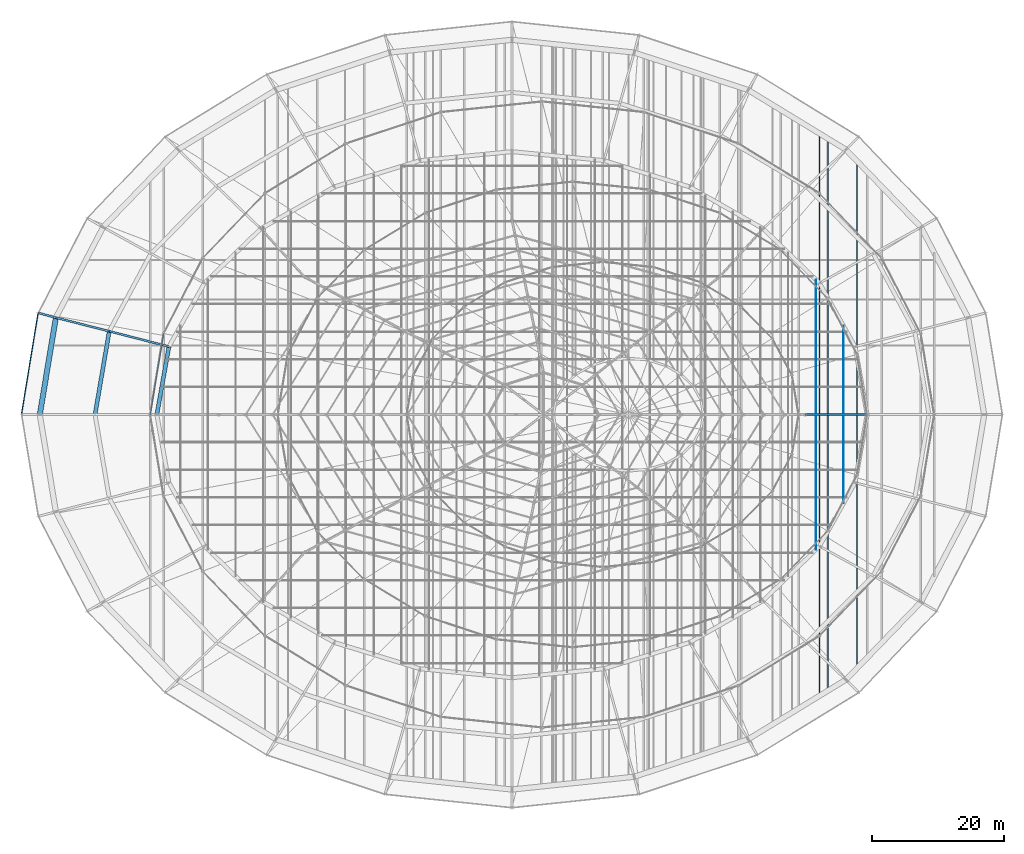
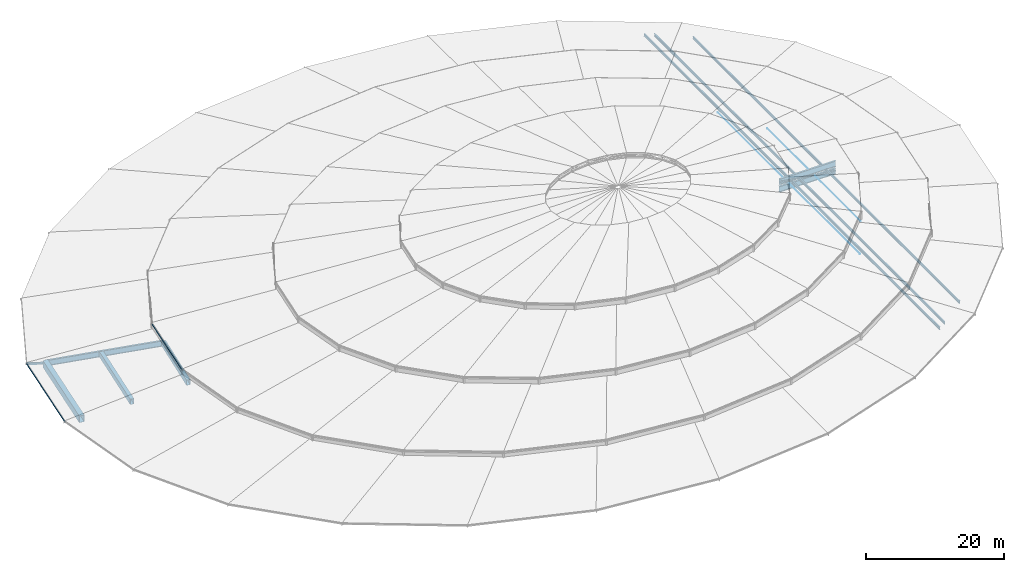
# One storey, part 94 of 184: 9 members, 7 beams.
"""IFC4 building model written with IfcOpenShell, lengths in metres."""

from ifc_helpers import new_model, si_unit, direction, frame, origin, origin_2d, place, context, subcontext, project, spatial, hollow_rectangle, circle, i_section, extrude, material, material_profile, profile_set, type_object, element, save


model = new_model("IFC4")

# Units and contexts
model_context = context("Model", 3, precision=1e-05, world=origin(), true_north=direction((0.0, 1.0)))
body_context = subcontext(model_context, "Body", "Model", "MODEL_VIEW")
ifc_project = project(units=[si_unit("LENGTHUNIT", "METRE"), si_unit("AREAUNIT", "SQUARE_METRE"), si_unit("VOLUMEUNIT", "CUBIC_METRE"), si_unit("PLANEANGLEUNIT", "RADIAN"), si_unit("MASSUNIT", "GRAM", prefix="KILO")], contexts=[model_context])

# Site, building, storey
site_placement = place(None, origin())
site = spatial("IfcSite", under=ifc_project, at=site_placement, CompositionType="ELEMENT")
building_placement = place(site_placement, origin())
building = spatial("IfcBuilding", under=site, at=building_placement, Name="Kalgoora Escarpment Arena", CompositionType="ELEMENT")
storey_placement = place(building_placement, frame((0.0, 0.0, 27.60009765625)))
storey = spatial("IfcBuildingStorey", under=building, at=storey_placement, Name="Roof Level", CompositionType="ELEMENT", Elevation=27.60009765625)

# Beams
ifc_material_1 = material(Name="Structural steel Grade 350 (350 MPa)", Category="steel")
ifc_material_profile_1 = material_profile(ifc_material_1, hollow_rectangle(XDim=0.800048828125, YDim=1.199951171875, WallThickness=0.031982421875, at=origin_2d()))
ifc_profile_set_1 = profile_set([ifc_material_profile_1], Name="Structural steel Grade 350 (350 MPa)")
beam_type_1 = type_object("IfcBeamType", Name="BM-RING-BOX1200", PredefinedType="USERDEFINED", material=ifc_profile_set_1)
beam_1_placement = place(storey_placement, frame((23.04638671875, 78.752685546875, -1.4501953125), z_axis=(-0.163586163215, -0.98652905036, 0.0), x_axis=(0.98652905036, -0.163586163215, 0.0)))
element("IfcBeam", 1, at=beam_1_placement, inside=storey, type_object=beam_type_1, Name="Outer perimeter compression RING BEAM chord 12", ObjectType="GIRDER", PredefinedType="USERDEFINED", context=body_context, shape_type="SweptSolid", body=[
    extrude(hollow_rectangle(XDim=0.800048828125, YDim=1.199951171875, WallThickness=0.031982421875, at=origin_2d()), origin(), (0.0, 0.0, 1.0), 14.9541015625),
])
ifc_material_2 = material(Name="Structural steel Grade 350 (350 MPa)", Category="steel")
ifc_material_profile_2 = material_profile(ifc_material_2, hollow_rectangle(XDim=0.60009765625, YDim=0.949951171875, WallThickness=0.02490234375, at=origin_2d()))
ifc_profile_set_2 = profile_set([ifc_material_profile_2], Name="Structural steel Grade 350 (350 MPa)")
beam_type_2 = type_object("IfcBeamType", Name="BM-RING-BOX950", PredefinedType="USERDEFINED", material=ifc_profile_set_2)
beam_2_placement = place(storey_placement, frame((31.160400390625, 76.68212890625, -1.35009765625), z_axis=(-0.167930802249, -0.985798785583, 0.0), x_axis=(0.985798785583, -0.167930802249, 0.0)))
element("IfcBeam", 2, at=beam_2_placement, inside=storey, type_object=beam_type_2, Name="Concourse roof RING BEAM chord 12", ObjectType="GIRDER", PredefinedType="USERDEFINED", context=body_context, shape_type="SweptSolid", body=[
    extrude(hollow_rectangle(XDim=0.60009765625, YDim=0.949951171875, WallThickness=0.02490234375, at=origin_2d()), origin(), (0.0, 0.0, 1.0), 12.86474609375),
])
beam_3_placement = place(storey_placement, frame((40.239990234375, 74.352783203125, -1.25), z_axis=(-0.174995823084, -0.984569175784, 0.0), x_axis=(0.984569175784, -0.174995823084, 0.0)))
element("IfcBeam", 3, at=beam_3_placement, inside=storey, type_object=beam_type_2, Name="Bowl compression RING BEAM chord 12", ObjectType="GIRDER", PredefinedType="USERDEFINED", context=body_context, shape_type="SweptSolid", body=[
    extrude(hollow_rectangle(XDim=0.60009765625, YDim=0.949951171875, WallThickness=0.02490234375, at=origin_2d()), origin(), (0.0, 0.0, 1.0), 10.51513671875),
])
ifc_material_3 = material(Name="Structural steel Grade 350 (350 MPa)", Category="steel")
ifc_material_profile_3 = material_profile(ifc_material_3, i_section(OverallWidth=0.300048828125, OverallDepth=1.010009765625, WebThickness=0.01611328125, FlangeThickness=0.030029296875, at=origin_2d()))
ifc_profile_set_3 = profile_set([ifc_material_profile_3], Name="Structural steel Grade 350 (350 MPa)")
beam_type_3 = type_object("IfcBeamType", Name="BM-TRUSS-CHORD", PredefinedType="USERDEFINED", material=ifc_profile_set_3)
beam_4_placement = place(storey_placement, frame((23.04638671875, 78.752685546875, -1.400146484375), z_axis=(0.968880156958, -0.24724154088, 0.011952485764), x_axis=(0.247259203473, 0.968949372412, 0.0)))
element("IfcBeam", 4, at=beam_4_placement, inside=storey, type_object=beam_type_3, Name="Outer radial petal support girder R12", ObjectType="GIRDER", PredefinedType="USERDEFINED", context=body_context, shape_type="SweptSolid", body=[
    extrude(i_section(OverallWidth=0.300048828125, OverallDepth=1.010009765625, WebThickness=0.01611328125, FlangeThickness=0.030029296875, at=origin_2d()), origin(), (0.0, 0.0, 1.0), 8.37451171875),
])
beam_5_placement = place(storey_placement, frame((31.160400390625, 76.68212890625, -1.300048828125), z_axis=(0.968576929059, -0.248485949991, 0.010652002258), x_axis=(0.248500048438, 0.9686318836, 0.0)))
element("IfcBeam", 5, at=beam_5_placement, inside=storey, type_object=beam_type_3, Name="Inner radial petal support girder R12", ObjectType="GIRDER", PredefinedType="USERDEFINED", context=body_context, shape_type="SweptSolid", body=[
    extrude(i_section(OverallWidth=0.300048828125, OverallDepth=1.010009765625, WebThickness=0.01611328125, FlangeThickness=0.030029296875, at=origin_2d()), origin(), (0.0, 0.0, 1.0), 9.374267578125),
])
for number, where, z_axis, x_axis, name in (
    (6, (146.412109375, 64.0, -1.7001953125), (-0.999985898301, 0.0, 0.005310668354), (0.0, -1.0, 0.0), "Radial ROOF TRUSS spine 1 bottom chord 1"),
    (7, (146.412109375, 64.0, -0.400146484375), (-0.999985898301, 0.0, 0.005310668354), (0.0, -1.0, 0.0), "Radial ROOF TRUSS spine 1 top chord 1"),
):
    element("IfcBeam", number, at=place(storey_placement, frame(where, z_axis=z_axis, x_axis=x_axis)), inside=storey, type_object=beam_type_3, Name=name, ObjectType="GIRDER", PredefinedType="USERDEFINED", context=body_context, shape_type="SweptSolid", body=[
        extrude(i_section(OverallWidth=0.300048828125, OverallDepth=1.010009765625, WebThickness=0.01611328125, FlangeThickness=0.030029296875, at=origin_2d()), origin(), (0.0, 0.0, 1.0), 9.42431640625),
    ])

# Members
ifc_material_4 = material(Name="High-tensile spiral strand steel Grade 450 (350 MPa)", Category="steel")
ifc_material_profile_4 = material_profile(ifc_material_4, circle(Radius=0.028076171875, at=origin_2d()))
ifc_profile_set_4 = profile_set([ifc_material_profile_4], Name="High-tensile spiral strand steel Grade 450 (350 MPa)")
member_type_1 = type_object("IfcMemberType", Name="MEM-CABLE-56", PredefinedType="USERDEFINED", material=ifc_profile_set_4)
member_1_placement = place(storey_placement, frame((138.60009765625, 43.4541015625, -1.190185546875), z_axis=(0.0, 1.0, 0.0), x_axis=(-1.0, 0.0, 0.0)))
element("IfcMember", 8, at=member_1_placement, inside=storey, type_object=member_type_1, Name="Roof saddle pretensioning cable Y-41", ObjectType="CABLE", PredefinedType="USERDEFINED", context=body_context, shape_type="SweptSolid", body=[
    extrude(circle(Radius=0.028076171875, at=origin_2d()), origin(), (0.0, 0.0, 1.0), 41.091796875),
])
member_2_placement = place(storey_placement, frame((142.800048828125, 50.499755859375, -1.190185546875), z_axis=(0.0, 1.0, 0.0), x_axis=(-1.0, 0.0, 0.0)))
element("IfcMember", 9, at=member_2_placement, inside=storey, type_object=member_type_1, Name="Roof saddle pretensioning cable Y-42", ObjectType="CABLE", PredefinedType="USERDEFINED", context=body_context, shape_type="SweptSolid", body=[
    extrude(circle(Radius=0.028076171875, at=origin_2d()), origin(), (0.0, 0.0, 1.0), 27.00048828125),
])
ifc_material_5 = material(Name="Structural steel AS/NZS 3679 (300 MPa)", Category="steel")
ifc_material_profile_5 = material_profile(ifc_material_5, i_section(OverallWidth=0.19091796875, OverallDepth=0.4599609375, WebThickness=0.010009765625, FlangeThickness=0.01611328125, at=origin_2d()))
ifc_profile_set_5 = profile_set([ifc_material_profile_5], Name="Structural steel AS/NZS 3679 (300 MPa)")
member_type_2 = type_object("IfcMemberType", Name="MEM-CARRIER-CHORD", PredefinedType="CHORD", material=ifc_profile_set_5)
member_3_placement = place(storey_placement, frame((139.1435546875, 21.241943359375, -1.080078125), z_axis=(0.0, 1.0, 0.0), x_axis=(-1.0, 0.0, 0.0)))
element("IfcMember", 10, at=member_3_placement, inside=storey, type_object=member_type_2, Name="Petal RP2 spanning carrier chord C04", PredefinedType="CHORD", context=body_context, shape_type="SweptSolid", body=[
    extrude(i_section(OverallWidth=0.19091796875, OverallDepth=0.4599609375, WebThickness=0.010009765625, FlangeThickness=0.01611328125, at=origin_2d()), origin(), (0.0, 0.0, 1.0), 85.51611328125),
])
member_4_placement = place(storey_placement, frame((144.87353515625, 25.45703125, -1.02001953125), z_axis=(0.0, 1.0, 0.0), x_axis=(-1.0, 0.0, 0.0)))
element("IfcMember", 11, at=member_4_placement, inside=storey, type_object=member_type_2, Name="Petal RP3 spanning carrier chord C02", PredefinedType="CHORD", context=body_context, shape_type="SweptSolid", body=[
    extrude(i_section(OverallWidth=0.19091796875, OverallDepth=0.4599609375, WebThickness=0.010009765625, FlangeThickness=0.01611328125, at=origin_2d()), origin(), (0.0, 0.0, 1.0), 77.0859375),
])
member_5_placement = place(storey_placement, frame((140.39794921875, 22.006103515625, -1.02001953125), z_axis=(0.0, 1.0, 0.0), x_axis=(-1.0, 0.0, 0.0)))
element("IfcMember", 12, at=member_5_placement, inside=storey, type_object=member_type_2, Name="Petal RP3 spanning carrier chord C03", PredefinedType="CHORD", context=body_context, shape_type="SweptSolid", body=[
    extrude(i_section(OverallWidth=0.19091796875, OverallDepth=0.4599609375, WebThickness=0.010009765625, FlangeThickness=0.01611328125, at=origin_2d()), origin(), (0.0, 0.0, 1.0), 83.98779296875),
])
ifc_material_6 = material(Name="Structural steel C350 (350 MPa)", Category="steel")
ifc_material_profile_6 = material_profile(ifc_material_6, hollow_rectangle(XDim=0.10009765625, YDim=0.199951171875, WallThickness=0.009033203125, at=origin_2d()))
ifc_profile_set_6 = profile_set([ifc_material_profile_6], Name="Structural steel C350 (350 MPa)")
member_type_3 = type_object("IfcMemberType", Name="MEM-PURLIN-RHS", PredefinedType="PURLIN", material=ifc_profile_set_6)
member_6_placement = place(storey_placement, frame((20.341796875, 79.477294921875, -1.02001953125), z_axis=(-0.162053584374, -0.9867819596, 0.0), x_axis=(0.9867819596, -0.162053584374, 0.0)))
element("IfcMember", 13, at=member_6_placement, inside=storey, type_object=member_type_3, Name="Petal RP1 eave support ring purlin S12", PredefinedType="PURLIN", context=body_context, shape_type="SweptSolid", body=[
    extrude(hollow_rectangle(XDim=0.10009765625, YDim=0.199951171875, WallThickness=0.009033203125, at=origin_2d()), origin(), (0.0, 0.0, 1.0), 15.6845703125),
])
member_7_placement = place(storey_placement, frame((39.430908203125, 76.31982421875, 1.244873046875), z_axis=(-0.162661160172, -0.986681988774, 0.0), x_axis=(0.986681988774, -0.162661160172, 0.0)))
element("IfcMember", 14, at=member_7_placement, inside=storey, type_object=member_type_3, Name="Petal RP2 eave support ring purlin S12", PredefinedType="PURLIN", context=body_context, shape_type="SweptSolid", body=[
    extrude(hollow_rectangle(XDim=0.10009765625, YDim=0.199951171875, WallThickness=0.009033203125, at=origin_2d()), origin(), (0.0, 0.0, 1.0), 12.486083984375),
])
ifc_material_7 = material(Name="Structural steel C350 (350 MPa)", Category="steel")
ifc_material_profile_7 = material_profile(ifc_material_7, hollow_rectangle(XDim=0.199951171875, YDim=0.199951171875, WallThickness=0.009033203125, at=origin_2d()))
ifc_profile_set_7 = profile_set([ifc_material_profile_7], Name="Structural steel C350 (350 MPa)")
member_type_4 = type_object("IfcMemberType", Name="MEM-TRUSS-DIAG", PredefinedType="BRACE", material=ifc_profile_set_7)
member_8_placement = place(storey_placement, frame((146.39990234375, 64.0, -1.7001953125), z_axis=(-0.989842261755, 0.0, 0.1421699576), x_axis=(0.0, 1.0, 0.0)))
element("IfcMember", 15, at=member_8_placement, inside=storey, type_object=member_type_4, Name="Radial ROOF TRUSS spine 1 web diagonal 1", PredefinedType="BRACE", context=body_context, shape_type="SweptSolid", body=[
    extrude(hollow_rectangle(XDim=0.199951171875, YDim=0.199951171875, WallThickness=0.009033203125, at=origin_2d()), origin(), (0.0, 0.0, 1.0), 9.496337890625),
])
ifc_material_8 = material(Name="Structural steel C450 (450 MPa)", Category="steel")
ifc_material_profile_8 = material_profile(ifc_material_8, hollow_rectangle(XDim=0.300048828125, YDim=0.300048828125, WallThickness=0.012451171875, at=origin_2d()))
ifc_profile_set_8 = profile_set([ifc_material_profile_8], Name="Structural steel C450 (450 MPa)")
member_type_5 = type_object("IfcMemberType", Name="MEM-TRUSS-POST", PredefinedType="POST", material=ifc_profile_set_8)
member_9_placement = place(storey_placement, frame((23.04638671875, 78.752685546875, -1.400146484375), z_axis=(-0.956217974517, 0.256188386746, 0.141473303867), x_axis=(-0.258791291131, -0.965933262516, 0.0)))
element("IfcMember", 16, at=member_9_placement, inside=storey, type_object=member_type_5, Name="Petal RP1 eave strut S12", PredefinedType="POST", context=body_context, shape_type="SweptSolid", body=[
    extrude(hollow_rectangle(XDim=0.300048828125, YDim=0.300048828125, WallThickness=0.012451171875, at=origin_2d()), origin(), (0.0, 0.0, 1.0), 2.828369140625),
])

save(model, "model.ifc")
